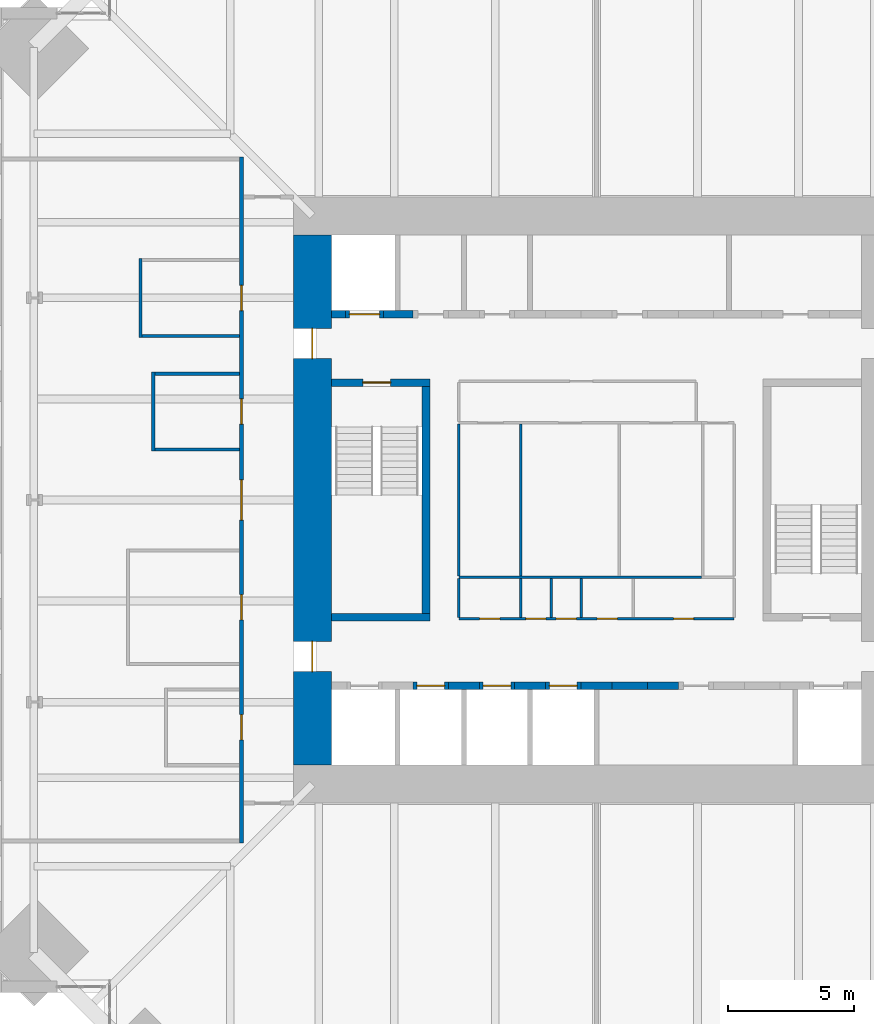
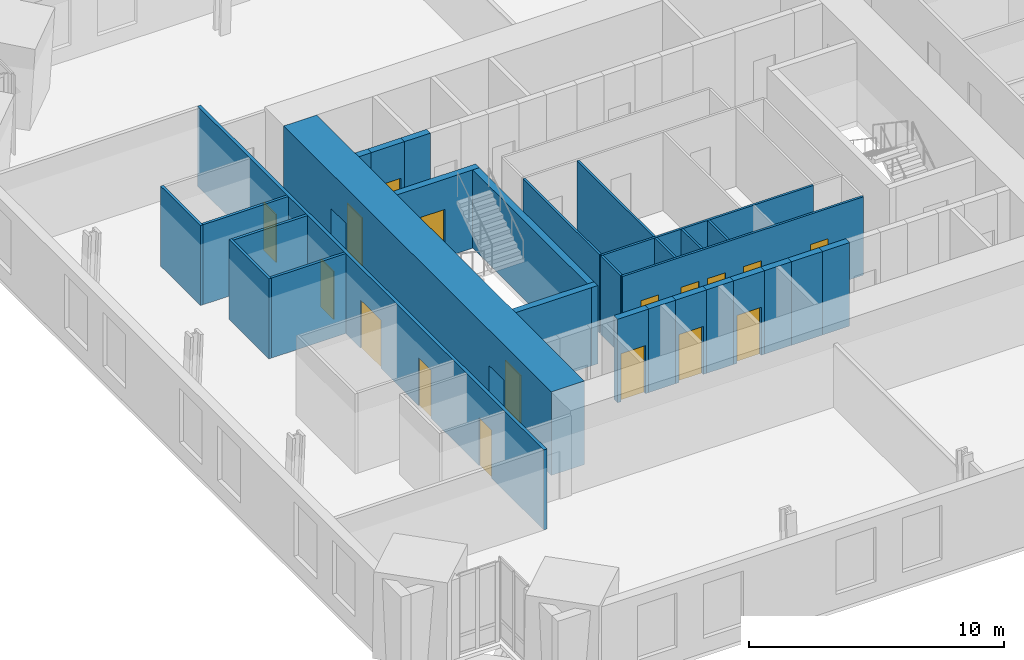
# One storey, part 11 of 15: 29 walls, 17 doors, 17 openings.
"""IFC4 building model written with IfcOpenShell, lengths in metres."""

from ifc_helpers import new_model, si_unit, direction, frame, frame_2d, origin, place, context, subcontext, project, spatial, rectangle, extrude, material, layer, layer_set, type_object, element, fill, save


model = new_model("IFC4")

# Units and contexts
model_context = context("Model", 3, precision=1e-05, world=origin(), true_north=direction((0.0, 1.0)))
body_context = subcontext(model_context, "Body", "Model", "MODEL_VIEW")
ifc_project = project(units=[si_unit("LENGTHUNIT", "METRE"), si_unit("AREAUNIT", "SQUARE_METRE"), si_unit("VOLUMEUNIT", "CUBIC_METRE"), si_unit("PLANEANGLEUNIT", "RADIAN"), si_unit("MASSUNIT", "GRAM", prefix="KILO")], contexts=[model_context])

# Site, building, storey
site_placement = place(None, origin())
site = spatial("IfcSite", under=ifc_project, at=site_placement, CompositionType="ELEMENT")
building_placement = place(site_placement, origin())
building = spatial("IfcBuilding", under=site, at=building_placement, Name="Peilmerk Tower", CompositionType="ELEMENT")
storey_placement = place(building_placement, frame((0.0, 0.0, 213.800048828125)))
storey = spatial("IfcBuildingStorey", under=building, at=storey_placement, Name="L46", CompositionType="ELEMENT", Elevation=213.800048828125)

# Wall, openings, doors
ifc_material_1 = material(Name="Calcium silicate block", Category="masonry")
ifc_layer_1 = layer(ifc_material_1, 0.14990234375)
ifc_layer_set_1 = layer_set([ifc_layer_1], Name="Calcium silicate block")
wall_type_1 = type_object("IfcWallType", Name="IW1 150 corridor partition, EI 60", PredefinedType="PARTITIONING", material=ifc_layer_set_1)
wall_1_placement = place(storey_placement, frame((-14.050048828125, 13.574951171875, 0.0), z_axis=(0.0, 0.0, 1.0), x_axis=(0.0, -1.0, 0.0)))
wall_1 = element("IfcWall", 1, at=wall_1_placement, inside=storey, type_object=wall_type_1, Name="Corridor wall W L46", PredefinedType="PARTITIONING", context=body_context, shape_type="SweptSolid", body=[
    extrude(rectangle(XDim=27.14990234375, YDim=0.14990234375, at=frame_2d((13.574951171875, 0.0))), origin(), (0.0, 0.0, 1.0), 3.829833984375),
])
opening_1_placement = place(wall_1_placement, frame((12.77490234375, 0.0, 0.0)))
opening_1 = element("IfcOpeningElement", 2, at=opening_1_placement, cuts=wall_1, Name="Opening D9", PredefinedType="OPENING", context=body_context, shape_type="SweptSolid", body=[
    extrude(rectangle(XDim=1.60009765625, YDim=2.300048828125, at=frame_2d((0.800048828125, 1.14990234375))), frame((0.0, 0.0849609375, 0.0), z_axis=(0.0, -1.0, 0.0), x_axis=(1.0, 0.0, 0.0)), (0.0, 0.0, 1.0), 0.169921875),
])
opening_2_placement = place(wall_1_placement, frame((17.324951171875, 0.0, 0.0)))
opening_2 = element("IfcOpeningElement", 3, at=opening_2_placement, cuts=wall_1, Name="Opening D1", PredefinedType="OPENING", context=body_context, shape_type="SweptSolid", body=[
    extrude(rectangle(XDim=1.0, YDim=2.300048828125, at=frame_2d((0.5, 1.14990234375))), frame((0.0, 0.0849609375, 0.0), z_axis=(0.0, -1.0, 0.0), x_axis=(1.0, 0.0, 0.0)), (0.0, 0.0, 1.0), 0.169921875),
])
opening_3_placement = place(wall_1_placement, frame((9.574951171875, 0.0, 0.0)))
opening_3 = element("IfcOpeningElement", 4, at=opening_3_placement, cuts=wall_1, Name="Opening D1", PredefinedType="OPENING", context=body_context, shape_type="SweptSolid", body=[
    extrude(rectangle(XDim=1.0, YDim=2.300048828125, at=frame_2d((0.5, 1.14990234375))), frame((0.0, 0.0849609375, 0.0), z_axis=(0.0, -1.0, 0.0), x_axis=(1.0, 0.0, 0.0)), (0.0, 0.0, 1.0), 0.169921875),
])
opening_4_placement = place(wall_1_placement, frame((5.074951171875, 0.0, 0.0)))
opening_4 = element("IfcOpeningElement", 5, at=opening_4_placement, cuts=wall_1, Name="Opening D1", PredefinedType="OPENING", context=body_context, shape_type="SweptSolid", body=[
    extrude(rectangle(XDim=1.0, YDim=2.300048828125, at=frame_2d((0.5, 1.14990234375))), frame((0.0, 0.0849609375, 0.0), z_axis=(0.0, -1.0, 0.0), x_axis=(1.0, 0.0, 0.0)), (0.0, 0.0, 1.0), 0.169921875),
])
opening_5_placement = place(wall_1_placement, frame((22.074951171875, 0.0, 0.0)))
opening_5 = element("IfcOpeningElement", 6, at=opening_5_placement, cuts=wall_1, Name="Opening D1", PredefinedType="OPENING", context=body_context, shape_type="SweptSolid", body=[
    extrude(rectangle(XDim=1.0, YDim=2.300048828125, at=frame_2d((0.5, 1.14990234375))), frame((0.0, 0.0849609375, 0.0), z_axis=(0.0, -1.0, 0.0), x_axis=(1.0, 0.0, 0.0)), (0.0, 0.0, 1.0), 0.169921875),
])
ifc_material_2 = material(Name="Timber door in steel frame", Category="steel")
door_type_1 = type_object("IfcDoorType", Name="D1 1000x2300 room door, EI2 30", OperationType="SINGLE_SWING_LEFT", PredefinedType="DOOR", material=ifc_material_2)
door_1_placement = place(opening_2_placement, frame((1.0, 0.0, 0.0), z_axis=(0.0, 0.0, 1.0), x_axis=(-1.0, 0.0, 0.0)))
door_1 = element("IfcDoor", 7, at=door_1_placement, inside=storey, type_object=door_type_1, Name="Door Meeting room L46", OperationType="SINGLE_SWING_LEFT", OverallHeight=2.300048828125, OverallWidth=1.0, PredefinedType="DOOR", context=body_context, shape_type="SweptSolid", body=[
    extrude(rectangle(XDim=1.0, YDim=2.300048828125, at=frame_2d((0.5, 1.14990234375))), frame((0.0, 0.02490234375, 0.0), z_axis=(0.0, -1.0, 0.0), x_axis=(1.0, 0.0, 0.0)), (0.0, 0.0, 1.0), 0.050048828125),
])
fill(opening_2, door_1)
door_2_placement = place(opening_3_placement, frame((1.0, 0.0, 0.0), z_axis=(0.0, 0.0, 1.0), x_axis=(-1.0, 0.0, 0.0)))
door_2 = element("IfcDoor", 8, at=door_2_placement, inside=storey, type_object=door_type_1, Name="Door Quiet room L46", OperationType="SINGLE_SWING_LEFT", OverallHeight=2.300048828125, OverallWidth=1.0, PredefinedType="DOOR", context=body_context, shape_type="SweptSolid", body=[
    extrude(rectangle(XDim=1.0, YDim=2.300048828125, at=frame_2d((0.5, 1.14990234375))), frame((0.0, 0.02490234375, 0.0), z_axis=(0.0, -1.0, 0.0), x_axis=(1.0, 0.0, 0.0)), (0.0, 0.0, 1.0), 0.050048828125),
])
fill(opening_3, door_2)
door_3_placement = place(opening_4_placement, frame((1.0, 0.0, 0.0), z_axis=(0.0, 0.0, 1.0), x_axis=(-1.0, 0.0, 0.0)))
door_3 = element("IfcDoor", 9, at=door_3_placement, inside=storey, type_object=door_type_1, Name="Door Pantry L46", OperationType="SINGLE_SWING_LEFT", OverallHeight=2.300048828125, OverallWidth=1.0, PredefinedType="DOOR", context=body_context, shape_type="SweptSolid", body=[
    extrude(rectangle(XDim=1.0, YDim=2.300048828125, at=frame_2d((0.5, 1.14990234375))), frame((0.0, 0.02490234375, 0.0), z_axis=(0.0, -1.0, 0.0), x_axis=(1.0, 0.0, 0.0)), (0.0, 0.0, 1.0), 0.050048828125),
])
fill(opening_4, door_3)
door_4_placement = place(opening_5_placement, frame((1.0, 0.0, 0.0), z_axis=(0.0, 0.0, 1.0), x_axis=(-1.0, 0.0, 0.0)))
door_4 = element("IfcDoor", 10, at=door_4_placement, inside=storey, type_object=door_type_1, Name="Door Quiet room L46", OperationType="SINGLE_SWING_LEFT", OverallHeight=2.300048828125, OverallWidth=1.0, PredefinedType="DOOR", context=body_context, shape_type="SweptSolid", body=[
    extrude(rectangle(XDim=1.0, YDim=2.300048828125, at=frame_2d((0.5, 1.14990234375))), frame((0.0, 0.02490234375, 0.0), z_axis=(0.0, -1.0, 0.0), x_axis=(1.0, 0.0, 0.0)), (0.0, 0.0, 1.0), 0.050048828125),
])
fill(opening_5, door_4)
ifc_material_3 = material(Name="Glazed timber door in steel frame", Category="steel")
door_type_2 = type_object("IfcDoorType", Name="D9 1600x2300 glazed double door, EI2 30", OperationType="DOUBLE_DOOR_SINGLE_SWING", PredefinedType="DOOR", material=ifc_material_3)
door_5_placement = place(opening_1_placement, frame((1.60009765625, 0.0, 0.0), z_axis=(0.0, 0.0, 1.0), x_axis=(-1.0, 0.0, 0.0)))
door_5 = element("IfcDoor", 11, at=door_5_placement, inside=storey, type_object=door_type_2, Name="Door Open workspace L46", OperationType="DOUBLE_DOOR_SINGLE_SWING", OverallHeight=2.300048828125, OverallWidth=1.60009765625, PredefinedType="DOOR", context=body_context, shape_type="SweptSolid", body=[
    extrude(rectangle(XDim=1.60009765625, YDim=2.300048828125, at=frame_2d((0.800048828125, 1.14990234375))), frame((0.0, 0.02490234375, 0.0), z_axis=(0.0, -1.0, 0.0), x_axis=(1.0, 0.0, 0.0)), (0.0, 0.0, 1.0), 0.050048828125),
])
fill(opening_1, door_5)

# Wall
ifc_material_4 = material(Name="Concrete C35/45", Category="concrete")
ifc_layer_2 = layer(ifc_material_4, 0.300048828125)
ifc_layer_set_2 = layer_set([ifc_layer_2], Name="Concrete C35/45")
wall_type_2 = type_object("IfcWallType", Name="IW3 300 concrete stair enclosure wall, EI 120", PredefinedType="SOLIDWALL", material=ifc_layer_set_2)
wall_2_placement = place(storey_placement, frame((-6.75, -4.800048828125, 0.0), z_axis=(0.0, 0.0, 1.0), x_axis=(0.0, 1.0, 0.0)))
element("IfcWall", 12, at=wall_2_placement, inside=storey, type_object=wall_type_2, Name="Stair 1 enclosure L46", PredefinedType="SOLIDWALL", context=body_context, shape_type="SweptSolid", body=[
    extrude(rectangle(XDim=9.60009765625, YDim=0.300048828125, at=frame_2d((4.800048828125, 0.0))), origin(), (0.0, 0.0, 1.0), 3.75),
])

# Wall, opening, door
wall_3_placement = place(storey_placement, frame((-10.5, 4.64990234375, 0.0), z_axis=(0.0, 0.0, 1.0), x_axis=(1.0, 0.0, 0.0)))
wall_3 = element("IfcWall", 13, at=wall_3_placement, inside=storey, type_object=wall_type_2, Name="Stair 1 enclosure L46", PredefinedType="SOLIDWALL", context=body_context, shape_type="SweptSolid", body=[
    extrude(rectangle(XDim=3.89990234375, YDim=0.300048828125, at=frame_2d((1.949951171875, 0.0))), origin(), (0.0, 0.0, 1.0), 3.75),
])
opening_6_placement = place(wall_3_placement, frame((1.25, 0.0, 0.0)))
opening_6 = element("IfcOpeningElement", 14, at=opening_6_placement, cuts=wall_3, Name="Opening D4", PredefinedType="OPENING", context=body_context, shape_type="SweptSolid", body=[
    extrude(rectangle(XDim=1.10009765625, YDim=2.300048828125, at=frame_2d((0.550048828125, 1.14990234375))), frame((0.0, 0.159912109375, 0.0), z_axis=(0.0, -1.0, 0.0), x_axis=(1.0, 0.0, 0.0)), (0.0, 0.0, 1.0), 0.320068359375),
])
ifc_material_5 = material(Name="Steel door in steel frame", Category="steel")
door_type_3 = type_object("IfcDoorType", Name="D4 1100x2300 stair door, EI2 60", OperationType="SINGLE_SWING_RIGHT", PredefinedType="DOOR", material=ifc_material_5)
door_6_placement = place(opening_6_placement, frame((1.10009765625, 0.0, 0.0), z_axis=(0.0, 0.0, 1.0), x_axis=(-1.0, 0.0, 0.0)))
door_6 = element("IfcDoor", 15, at=door_6_placement, inside=storey, type_object=door_type_3, Name="Stair 1 door L46", OperationType="SINGLE_SWING_RIGHT", OverallHeight=2.300048828125, OverallWidth=1.10009765625, PredefinedType="DOOR", context=body_context, shape_type="SweptSolid", body=[
    extrude(rectangle(XDim=1.10009765625, YDim=2.300048828125, at=frame_2d((0.550048828125, 1.14990234375))), frame((0.0, 0.02490234375, 0.0), z_axis=(0.0, -1.0, 0.0), x_axis=(1.0, 0.0, 0.0)), (0.0, 0.0, 1.0), 0.050048828125),
])
fill(opening_6, door_6)

# Walls
wall_4_placement = place(storey_placement, frame((-6.60009765625, -4.64990234375, 0.0), z_axis=(0.0, 0.0, 1.0), x_axis=(-1.0, 0.0, 0.0)))
element("IfcWall", 16, at=wall_4_placement, inside=storey, type_object=wall_type_2, Name="Stair 1 enclosure L46", PredefinedType="SOLIDWALL", context=body_context, shape_type="SweptSolid", body=[
    extrude(rectangle(XDim=3.89990234375, YDim=0.300048828125, at=frame_2d((1.949951171875, 0.0))), origin(), (0.0, 0.0, 1.0), 3.75),
])
ifc_material_6 = material(Name="Plasterboard on steel studs", Category="steel")
ifc_layer_3 = layer(ifc_material_6, 0.10009765625)
ifc_layer_set_3 = layer_set([ifc_layer_3], Name="Plasterboard on steel studs")
wall_type_3 = type_object("IfcWallType", Name="IW4 100 WC partition", PredefinedType="PARTITIONING", material=ifc_layer_set_3)
wall_5_placement = place(storey_placement, frame((4.14990234375, -3.050048828125, 0.0), z_axis=(0.0, 0.0, 1.0), x_axis=(-1.0, 0.0, 0.0)))
element("IfcWall", 17, at=wall_5_placement, inside=storey, type_object=wall_type_3, Name="WC wall L46", PredefinedType="PARTITIONING", context=body_context, shape_type="SweptSolid", body=[
    extrude(rectangle(XDim=9.599853515625, YDim=0.10009765625, at=frame_2d((4.7998046875, 0.0))), origin(), (0.0, 0.0, 1.0), 3.75),
])
for number, where, z_axis, x_axis, name in (
    (18, (-5.449951171875, -3.0, 0.0), (0.0, 0.0, 1.0), (0.0, 1.0, 0.0), "WC wall L46"),
    (19, (-3.0, -3.0, 0.0), (0.0, 0.0, 1.0), (0.0, 1.0, 0.0), "WC wall L46"),
):
    element("IfcWall", number, at=place(storey_placement, frame(where, z_axis=z_axis, x_axis=x_axis)), inside=storey, type_object=wall_type_3, Name=name, PredefinedType="PARTITIONING", context=body_context, shape_type="SweptSolid", body=[
        extrude(rectangle(XDim=6.0, YDim=0.10009765625, at=frame_2d((3.0, 0.0))), origin(), (0.0, 0.0, 1.0), 3.75),
    ])

# Wall, openings, doors
ifc_material_7 = material(Name="Calcium silicate board on steel studs", Category="steel")
ifc_layer_4 = layer(ifc_material_7, 0.10009765625)
ifc_layer_set_4 = layer_set([ifc_layer_4], Name="Calcium silicate board on steel studs")
wall_type_4 = type_object("IfcWallType", Name="IW5 100 riser enclosure wall, EI 60", PredefinedType="PARTITIONING", material=ifc_layer_set_4)
wall_6_placement = place(storey_placement, frame((5.449951171875, -4.699951171875, 0.0), z_axis=(0.0, 0.0, 1.0), x_axis=(-1.0, 0.0, 0.0)))
wall_6 = element("IfcWall", 20, at=wall_6_placement, inside=storey, type_object=wall_type_4, Name="Riser wall L46", PredefinedType="PARTITIONING", context=body_context, shape_type="SweptSolid", body=[
    extrude(rectangle(XDim=10.89990234375, YDim=0.10009765625, at=frame_2d((5.449951171875, 0.0))), origin(), (0.0, 0.0, 1.0), 3.75),
])
opening_7_placement = place(wall_6_placement, frame((9.27490234375, 0.0, 0.0)))
opening_7 = element("IfcOpeningElement", 21, at=opening_7_placement, cuts=wall_6, Name="Opening D7", PredefinedType="OPENING", context=body_context, shape_type="SweptSolid", body=[
    extrude(rectangle(XDim=0.800048828125, YDim=2.300048828125, at=frame_2d((0.39990234375, 1.14990234375))), frame((0.0, 0.06005859375, 0.0), z_axis=(0.0, -1.0, 0.0), x_axis=(1.0, 0.0, 0.0)), (0.0, 0.0, 1.0), 0.1201171875),
])
opening_8_placement = place(wall_6_placement, frame((7.449951171875, 0.0, 0.0)))
opening_8 = element("IfcOpeningElement", 22, at=opening_8_placement, cuts=wall_6, Name="Opening D7", PredefinedType="OPENING", context=body_context, shape_type="SweptSolid", body=[
    extrude(rectangle(XDim=0.800048828125, YDim=2.300048828125, at=frame_2d((0.39990234375, 1.14990234375))), frame((0.0, 0.06005859375, 0.0), z_axis=(0.0, -1.0, 0.0), x_axis=(1.0, 0.0, 0.0)), (0.0, 0.0, 1.0), 0.1201171875),
])
opening_9_placement = place(wall_6_placement, frame((6.25, 0.0, 0.0)))
opening_9 = element("IfcOpeningElement", 23, at=opening_9_placement, cuts=wall_6, Name="Opening D7", PredefinedType="OPENING", context=body_context, shape_type="SweptSolid", body=[
    extrude(rectangle(XDim=0.800048828125, YDim=2.300048828125, at=frame_2d((0.39990234375, 1.14990234375))), frame((0.0, 0.06005859375, 0.0), z_axis=(0.0, -1.0, 0.0), x_axis=(1.0, 0.0, 0.0)), (0.0, 0.0, 1.0), 0.1201171875),
])
opening_10_placement = place(wall_6_placement, frame((4.625, 0.0, 0.0)))
opening_10 = element("IfcOpeningElement", 24, at=opening_10_placement, cuts=wall_6, Name="Opening D7", PredefinedType="OPENING", context=body_context, shape_type="SweptSolid", body=[
    extrude(rectangle(XDim=0.800048828125, YDim=2.300048828125, at=frame_2d((0.39990234375, 1.14990234375))), frame((0.0, 0.06005859375, 0.0), z_axis=(0.0, -1.0, 0.0), x_axis=(1.0, 0.0, 0.0)), (0.0, 0.0, 1.0), 0.1201171875),
])
opening_11_placement = place(wall_6_placement, frame((1.60009765625, 0.0, 0.0)))
opening_11 = element("IfcOpeningElement", 25, at=opening_11_placement, cuts=wall_6, Name="Opening D7", PredefinedType="OPENING", context=body_context, shape_type="SweptSolid", body=[
    extrude(rectangle(XDim=0.800048828125, YDim=2.300048828125, at=frame_2d((0.39990234375, 1.14990234375))), frame((0.0, 0.06005859375, 0.0), z_axis=(0.0, -1.0, 0.0), x_axis=(1.0, 0.0, 0.0)), (0.0, 0.0, 1.0), 0.1201171875),
])
door_type_4 = type_object("IfcDoorType", Name="D7 800x2300 riser access door, EI2 60", OperationType="SINGLE_SWING_RIGHT", PredefinedType="DOOR", material=ifc_material_5)
door_7_placement = place(opening_7_placement, frame((0.800048828125, 0.0, 0.0), z_axis=(0.0, 0.0, 1.0), x_axis=(-1.0, 0.0, 0.0)))
door_7 = element("IfcDoor", 26, at=door_7_placement, inside=storey, type_object=door_type_4, Name="Cleaner's cupboard door L46", OperationType="SINGLE_SWING_RIGHT", OverallHeight=2.300048828125, OverallWidth=0.800048828125, PredefinedType="DOOR", context=body_context, shape_type="SweptSolid", body=[
    extrude(rectangle(XDim=0.800048828125, YDim=2.300048828125, at=frame_2d((0.39990234375, 1.14990234375))), frame((0.0, 0.02490234375, 0.0), z_axis=(0.0, -1.0, 0.0), x_axis=(1.0, 0.0, 0.0)), (0.0, 0.0, 1.0), 0.050048828125),
])
fill(opening_7, door_7)
door_8_placement = place(opening_8_placement, frame((0.800048828125, 0.0, 0.0), z_axis=(0.0, 0.0, 1.0), x_axis=(-1.0, 0.0, 0.0)))
door_8 = element("IfcDoor", 27, at=door_8_placement, inside=storey, type_object=door_type_4, Name="Electrical riser door L46", OperationType="SINGLE_SWING_RIGHT", OverallHeight=2.300048828125, OverallWidth=0.800048828125, PredefinedType="DOOR", context=body_context, shape_type="SweptSolid", body=[
    extrude(rectangle(XDim=0.800048828125, YDim=2.300048828125, at=frame_2d((0.39990234375, 1.14990234375))), frame((0.0, 0.02490234375, 0.0), z_axis=(0.0, -1.0, 0.0), x_axis=(1.0, 0.0, 0.0)), (0.0, 0.0, 1.0), 0.050048828125),
])
fill(opening_8, door_8)
door_9_placement = place(opening_9_placement, frame((0.800048828125, 0.0, 0.0), z_axis=(0.0, 0.0, 1.0), x_axis=(-1.0, 0.0, 0.0)))
door_9 = element("IfcDoor", 28, at=door_9_placement, inside=storey, type_object=door_type_4, Name="Data riser door L46", OperationType="SINGLE_SWING_RIGHT", OverallHeight=2.300048828125, OverallWidth=0.800048828125, PredefinedType="DOOR", context=body_context, shape_type="SweptSolid", body=[
    extrude(rectangle(XDim=0.800048828125, YDim=2.300048828125, at=frame_2d((0.39990234375, 1.14990234375))), frame((0.0, 0.02490234375, 0.0), z_axis=(0.0, -1.0, 0.0), x_axis=(1.0, 0.0, 0.0)), (0.0, 0.0, 1.0), 0.050048828125),
])
fill(opening_9, door_9)
door_10_placement = place(opening_10_placement, frame((0.800048828125, 0.0, 0.0), z_axis=(0.0, 0.0, 1.0), x_axis=(-1.0, 0.0, 0.0)))
door_10 = element("IfcDoor", 29, at=door_10_placement, inside=storey, type_object=door_type_4, Name="Electrical room door L46", OperationType="SINGLE_SWING_RIGHT", OverallHeight=2.300048828125, OverallWidth=0.800048828125, PredefinedType="DOOR", context=body_context, shape_type="SweptSolid", body=[
    extrude(rectangle(XDim=0.800048828125, YDim=2.300048828125, at=frame_2d((0.39990234375, 1.14990234375))), frame((0.0, 0.02490234375, 0.0), z_axis=(0.0, -1.0, 0.0), x_axis=(1.0, 0.0, 0.0)), (0.0, 0.0, 1.0), 0.050048828125),
])
fill(opening_10, door_10)
door_11_placement = place(opening_11_placement, frame((0.800048828125, 0.0, 0.0), z_axis=(0.0, 0.0, 1.0), x_axis=(-1.0, 0.0, 0.0)))
door_11 = element("IfcDoor", 30, at=door_11_placement, inside=storey, type_object=door_type_4, Name="Comms room door L46", OperationType="SINGLE_SWING_RIGHT", OverallHeight=2.300048828125, OverallWidth=0.800048828125, PredefinedType="DOOR", context=body_context, shape_type="SweptSolid", body=[
    extrude(rectangle(XDim=0.800048828125, YDim=2.300048828125, at=frame_2d((0.39990234375, 1.14990234375))), frame((0.0, 0.02490234375, 0.0), z_axis=(0.0, -1.0, 0.0), x_axis=(1.0, 0.0, 0.0)), (0.0, 0.0, 1.0), 0.050048828125),
])
fill(opening_11, door_11)

# Walls
for number, where, z_axis, x_axis, name in (
    (31, (-5.449951171875, -3.10009765625, 0.0), (0.0, 0.0, 1.0), (0.0, -1.0, 0.0), "Riser wall L46"),
    (32, (-3.0, -3.10009765625, 0.0), (0.0, 0.0, 1.0), (0.0, -1.0, 0.0), "Riser wall L46"),
    (33, (-1.800048828125, -3.10009765625, 0.0), (0.0, 0.0, 1.0), (0.0, -1.0, 0.0), "Riser wall L46"),
    (34, (-0.60009765625, -3.10009765625, 0.0), (0.0, 0.0, 1.0), (0.0, -1.0, 0.0), "Riser wall L46"),
):
    element("IfcWall", number, at=place(storey_placement, frame(where, z_axis=z_axis, x_axis=x_axis)), inside=storey, type_object=wall_type_4, Name=name, PredefinedType="PARTITIONING", context=body_context, shape_type="SweptSolid", body=[
        extrude(rectangle(XDim=1.5498046875, YDim=0.10009765625, at=frame_2d((0.77490234375, 0.0))), origin(), (0.0, 0.0, 1.0), 3.75),
    ])
ifc_material_8 = material(Name="Plasterboard on steel studs, double boarded with mineral wool", Category="steel")
ifc_layer_5 = layer(ifc_material_8, 0.125)
ifc_layer_set_5 = layer_set([ifc_layer_5], Name="Plasterboard on steel studs, double boarded with mineral wool")
wall_type_5 = type_object("IfcWallType", Name="IW7 125 acoustic partition, EI 30", PredefinedType="PARTITIONING", material=ifc_layer_set_5)
wall_7_placement = place(storey_placement, frame((-17.550048828125, 1.9375, 0.0), z_axis=(0.0, 0.0, 1.0), x_axis=(0.0, 1.0, 0.0)))
element("IfcWall", 35, at=wall_7_placement, inside=storey, type_object=wall_type_5, Name="Acoustic partition Quiet room L46", PredefinedType="PARTITIONING", context=body_context, shape_type="SweptSolid", body=[
    extrude(rectangle(XDim=3.125, YDim=0.125, at=frame_2d((1.5625, 0.0))), origin(), (0.0, 0.0, 1.0), 3.829833984375),
])
for number, where, z_axis, x_axis, name in (
    (36, (-14.125, 2.0, 0.0), (0.0, 0.0, 1.0), (-1.0, 0.0, 0.0), "Acoustic partition Quiet room L46"),
    (37, (-14.125, 5.0, 0.0), (0.0, 0.0, 1.0), (-1.0, 0.0, 0.0), "Acoustic partition Quiet room L46"),
):
    element("IfcWall", number, at=place(storey_placement, frame(where, z_axis=z_axis, x_axis=x_axis)), inside=storey, type_object=wall_type_5, Name=name, PredefinedType="PARTITIONING", context=body_context, shape_type="SweptSolid", body=[
        extrude(rectangle(XDim=3.362548828125, YDim=0.125, at=frame_2d((1.68115234375, 0.0))), origin(), (0.0, 0.0, 1.0), 3.829833984375),
    ])
wall_8_placement = place(storey_placement, frame((-18.050048828125, 6.4375, 0.0), z_axis=(0.0, 0.0, 1.0), x_axis=(0.0, 1.0, 0.0)))
element("IfcWall", 38, at=wall_8_placement, inside=storey, type_object=wall_type_5, Name="Acoustic partition Pantry L46", PredefinedType="PARTITIONING", context=body_context, shape_type="SweptSolid", body=[
    extrude(rectangle(XDim=3.125, YDim=0.125, at=frame_2d((1.5625, 0.0))), origin(), (0.0, 0.0, 1.0), 3.829833984375),
])
wall_9_placement = place(storey_placement, frame((-14.125, 6.5, 0.0), z_axis=(0.0, 0.0, 1.0), x_axis=(-1.0, 0.0, 0.0)))
element("IfcWall", 39, at=wall_9_placement, inside=storey, type_object=wall_type_5, Name="Acoustic partition Pantry L46", PredefinedType="PARTITIONING", context=body_context, shape_type="SweptSolid", body=[
    extrude(rectangle(XDim=3.862548828125, YDim=0.125, at=frame_2d((1.93115234375, 0.0))), origin(), (0.0, 0.0, 1.0), 3.829833984375),
])

# Wall, opening, door
ifc_layer_6 = layer(ifc_material_1, 0.300048828125)
ifc_layer_set_6 = layer_set([ifc_layer_6], Name="Calcium silicate block")
wall_type_6 = type_object("IfcWallType", Name="SH2 300 lift landing door panel, EI 120", PredefinedType="PARTITIONING", material=ifc_layer_set_6)
wall_10_placement = place(storey_placement, frame((-9.9375, 7.35009765625, 0.0), z_axis=(0.0, 0.0, 1.0), x_axis=(1.0, 0.0, 0.0)))
wall_10 = element("IfcWall", 40, at=wall_10_placement, inside=storey, type_object=wall_type_6, Name="Lift door panel N FL1 L46", PredefinedType="PARTITIONING", context=body_context, shape_type="SweptSolid", body=[
    extrude(rectangle(XDim=1.5, YDim=0.300048828125, at=frame_2d((0.75, 0.0))), origin(), (0.0, 0.0, 1.0), 4.0),
])
opening_12_placement = place(wall_10_placement, frame((0.14990234375, 0.0, 0.0)))
opening_12 = element("IfcOpeningElement", 41, at=opening_12_placement, cuts=wall_10, Name="Opening LD2", PredefinedType="OPENING", context=body_context, shape_type="SweptSolid", body=[
    extrude(rectangle(XDim=1.199951171875, YDim=2.300048828125, at=frame_2d((0.60009765625, 1.14990234375))), frame((0.0, 0.159912109375, 0.0), z_axis=(0.0, -1.0, 0.0), x_axis=(1.0, 0.0, 0.0)), (0.0, 0.0, 1.0), 0.320068359375),
])
ifc_material_9 = material(Name="Stainless steel landing door", Category="steel")
door_type_5 = type_object("IfcDoorType", Name="LD2 1200x2300 lift landing door, sliding, EI2 60", OperationType="SLIDING_TO_LEFT", PredefinedType="DOOR", material=ifc_material_9)
door_12_placement = place(opening_12_placement, frame((1.199951171875, 0.0, 0.0), z_axis=(0.0, 0.0, 1.0), x_axis=(-1.0, 0.0, 0.0)))
door_12 = element("IfcDoor", 42, at=door_12_placement, inside=storey, type_object=door_type_5, Name="Lift landing door FL1 L46", OperationType="SLIDING_TO_LEFT", OverallHeight=2.300048828125, OverallWidth=1.199951171875, PredefinedType="DOOR", context=body_context, shape_type="SweptSolid", body=[
    extrude(rectangle(XDim=1.199951171875, YDim=2.300048828125, at=frame_2d((0.60009765625, 1.14990234375))), frame((0.0, 0.02490234375, 0.0), z_axis=(0.0, -1.0, 0.0), x_axis=(1.0, 0.0, 0.0)), (0.0, 0.0, 1.0), 0.050048828125),
])
fill(opening_12, door_12)

wall_11_placement = place(storey_placement, frame((-7.262451171875, -7.35009765625, 0.0), z_axis=(0.0, 0.0, 1.0), x_axis=(1.0, 0.0, 0.0)))
wall_11 = element("IfcWall", 43, at=wall_11_placement, inside=storey, type_object=wall_type_6, Name="Lift door panel S C3 L46", PredefinedType="PARTITIONING", context=body_context, shape_type="SweptSolid", body=[
    extrude(rectangle(XDim=1.39990234375, YDim=0.300048828125, at=frame_2d((0.699951171875, 0.0))), origin(), (0.0, 0.0, 1.0), 4.0),
])
opening_13_placement = place(wall_11_placement, frame((0.14990234375, 0.0, 0.0)))
opening_13 = element("IfcOpeningElement", 44, at=opening_13_placement, cuts=wall_11, Name="Opening LD1", PredefinedType="OPENING", context=body_context, shape_type="SweptSolid", body=[
    extrude(rectangle(XDim=1.10009765625, YDim=2.300048828125, at=frame_2d((0.550048828125, 1.14990234375))), frame((0.0, 0.159912109375, 0.0), z_axis=(0.0, -1.0, 0.0), x_axis=(1.0, 0.0, 0.0)), (0.0, 0.0, 1.0), 0.320068359375),
])
door_type_6 = type_object("IfcDoorType", Name="LD1 1100x2300 lift landing door, sliding, EI2 60", OperationType="SLIDING_TO_LEFT", PredefinedType="DOOR", material=ifc_material_9)
door_13_placement = place(opening_13_placement, origin())
door_13 = element("IfcDoor", 45, at=door_13_placement, inside=storey, type_object=door_type_6, Name="Lift landing door C3 L46", OperationType="SLIDING_TO_LEFT", OverallHeight=2.300048828125, OverallWidth=1.10009765625, PredefinedType="DOOR", context=body_context, shape_type="SweptSolid", body=[
    extrude(rectangle(XDim=1.10009765625, YDim=2.300048828125, at=frame_2d((0.550048828125, 1.14990234375))), frame((0.0, 0.02490234375, 0.0), z_axis=(0.0, -1.0, 0.0), x_axis=(1.0, 0.0, 0.0)), (0.0, 0.0, 1.0), 0.050048828125),
])
fill(opening_13, door_13)

wall_12_placement = place(storey_placement, frame((-4.637451171875, -7.35009765625, 0.0), z_axis=(0.0, 0.0, 1.0), x_axis=(1.0, 0.0, 0.0)))
wall_12 = element("IfcWall", 46, at=wall_12_placement, inside=storey, type_object=wall_type_6, Name="Lift door panel S C2 L46", PredefinedType="PARTITIONING", context=body_context, shape_type="SweptSolid", body=[
    extrude(rectangle(XDim=1.39990234375, YDim=0.300048828125, at=frame_2d((0.699951171875, 0.0))), origin(), (0.0, 0.0, 1.0), 4.0),
])
opening_14_placement = place(wall_12_placement, frame((0.14990234375, 0.0, 0.0)))
opening_14 = element("IfcOpeningElement", 47, at=opening_14_placement, cuts=wall_12, Name="Opening LD1", PredefinedType="OPENING", context=body_context, shape_type="SweptSolid", body=[
    extrude(rectangle(XDim=1.10009765625, YDim=2.300048828125, at=frame_2d((0.550048828125, 1.14990234375))), frame((0.0, 0.159912109375, 0.0), z_axis=(0.0, -1.0, 0.0), x_axis=(1.0, 0.0, 0.0)), (0.0, 0.0, 1.0), 0.320068359375),
])
door_14_placement = place(opening_14_placement, origin())
door_14 = element("IfcDoor", 48, at=door_14_placement, inside=storey, type_object=door_type_6, Name="Lift landing door C2 L46", OperationType="SLIDING_TO_LEFT", OverallHeight=2.300048828125, OverallWidth=1.10009765625, PredefinedType="DOOR", context=body_context, shape_type="SweptSolid", body=[
    extrude(rectangle(XDim=1.10009765625, YDim=2.300048828125, at=frame_2d((0.550048828125, 1.14990234375))), frame((0.0, 0.02490234375, 0.0), z_axis=(0.0, -1.0, 0.0), x_axis=(1.0, 0.0, 0.0)), (0.0, 0.0, 1.0), 0.050048828125),
])
fill(opening_14, door_14)

wall_13_placement = place(storey_placement, frame((-2.012451171875, -7.35009765625, 0.0), z_axis=(0.0, 0.0, 1.0), x_axis=(1.0, 0.0, 0.0)))
wall_13 = element("IfcWall", 49, at=wall_13_placement, inside=storey, type_object=wall_type_6, Name="Lift door panel S C1 L46", PredefinedType="PARTITIONING", context=body_context, shape_type="SweptSolid", body=[
    extrude(rectangle(XDim=1.39990234375, YDim=0.300048828125, at=frame_2d((0.699951171875, 0.0))), origin(), (0.0, 0.0, 1.0), 4.0),
])
opening_15_placement = place(wall_13_placement, frame((0.14990234375, 0.0, 0.0)))
opening_15 = element("IfcOpeningElement", 50, at=opening_15_placement, cuts=wall_13, Name="Opening LD1", PredefinedType="OPENING", context=body_context, shape_type="SweptSolid", body=[
    extrude(rectangle(XDim=1.10009765625, YDim=2.300048828125, at=frame_2d((0.550048828125, 1.14990234375))), frame((0.0, 0.159912109375, 0.0), z_axis=(0.0, -1.0, 0.0), x_axis=(1.0, 0.0, 0.0)), (0.0, 0.0, 1.0), 0.320068359375),
])
door_15_placement = place(opening_15_placement, origin())
door_15 = element("IfcDoor", 51, at=door_15_placement, inside=storey, type_object=door_type_6, Name="Lift landing door C1 L46", OperationType="SLIDING_TO_LEFT", OverallHeight=2.300048828125, OverallWidth=1.10009765625, PredefinedType="DOOR", context=body_context, shape_type="SweptSolid", body=[
    extrude(rectangle(XDim=1.10009765625, YDim=2.300048828125, at=frame_2d((0.550048828125, 1.14990234375))), frame((0.0, 0.02490234375, 0.0), z_axis=(0.0, -1.0, 0.0), x_axis=(1.0, 0.0, 0.0)), (0.0, 0.0, 1.0), 0.050048828125),
])
fill(opening_15, door_15)

# Wall
wall_14_placement = place(storey_placement, frame((0.612548828125, -7.35009765625, 0.0), z_axis=(0.0, 0.0, 1.0), x_axis=(1.0, 0.0, 0.0)))
element("IfcWall", 52, at=wall_14_placement, inside=storey, type_object=wall_type_6, Name="Lift door panel S B3 L46", PredefinedType="PARTITIONING", context=body_context, shape_type="SweptSolid", body=[
    extrude(rectangle(XDim=1.39990234375, YDim=0.300048828125, at=frame_2d((0.699951171875, 0.0))), origin(), (0.0, 0.0, 1.0), 4.0),
])

# Wall, openings, doors
ifc_material_10 = material(Name="Concrete C55/67", Category="concrete")
ifc_layer_7 = layer(ifc_material_10, 1.5)
ifc_layer_set_7 = layer_set([ifc_layer_7], Name="Concrete C55/67")
wall_type_7 = type_object("IfcWallType", Name="SW1 1500 core wall", PredefinedType="SHEAR", material=ifc_layer_set_7)
wall_15_placement = place(storey_placement, frame((-11.25, -10.5, 0.0), z_axis=(0.0, 0.0, 1.0), x_axis=(0.0, 1.0, 0.0)))
wall_15 = element("IfcWall", 53, at=wall_15_placement, inside=storey, type_object=wall_type_7, Name="Core wall W L46", PredefinedType="SHEAR", context=body_context, shape_type="SweptSolid", body=[
    extrude(rectangle(XDim=21.0, YDim=1.5, at=frame_2d((10.5, 0.0))), origin(), (0.0, 0.0, 1.0), 4.0),
])
opening_16_placement = place(wall_15_placement, frame((16.10009765625, 0.0, 0.0)))
opening_16 = element("IfcOpeningElement", 54, at=opening_16_placement, cuts=wall_15, Name="Opening D3", PredefinedType="OPENING", context=body_context, shape_type="SweptSolid", body=[
    extrude(rectangle(XDim=1.199951171875, YDim=2.300048828125, at=frame_2d((0.60009765625, 1.14990234375))), frame((0.0, 0.760009765625, 0.0), z_axis=(0.0, -1.0, 0.0), x_axis=(1.0, 0.0, 0.0)), (0.0, 0.0, 1.0), 1.52001953125),
])
opening_17_placement = place(wall_15_placement, frame((3.699951171875, 0.0, 0.0)))
opening_17 = element("IfcOpeningElement", 55, at=opening_17_placement, cuts=wall_15, Name="Opening D3", PredefinedType="OPENING", context=body_context, shape_type="SweptSolid", body=[
    extrude(rectangle(XDim=1.199951171875, YDim=2.300048828125, at=frame_2d((0.60009765625, 1.14990234375))), frame((0.0, 0.760009765625, 0.0), z_axis=(0.0, -1.0, 0.0), x_axis=(1.0, 0.0, 0.0)), (0.0, 0.0, 1.0), 1.52001953125),
])
door_type_7 = type_object("IfcDoorType", Name="D3 1200x2300 core door, EI2 60", OperationType="SINGLE_SWING_LEFT", PredefinedType="DOOR", material=ifc_material_5)
door_16_placement = place(opening_16_placement, frame((1.199951171875, 0.0, 0.0), z_axis=(0.0, 0.0, 1.0), x_axis=(-1.0, 0.0, 0.0)))
door_16 = element("IfcDoor", 56, at=door_16_placement, inside=storey, type_object=door_type_7, Name="Core door L46", OperationType="SINGLE_SWING_LEFT", OverallHeight=2.300048828125, OverallWidth=1.199951171875, PredefinedType="DOOR", context=body_context, shape_type="SweptSolid", body=[
    extrude(rectangle(XDim=1.199951171875, YDim=2.300048828125, at=frame_2d((0.60009765625, 1.14990234375))), frame((0.0, 0.02490234375, 0.0), z_axis=(0.0, -1.0, 0.0), x_axis=(1.0, 0.0, 0.0)), (0.0, 0.0, 1.0), 0.050048828125),
])
fill(opening_16, door_16)
door_17_placement = place(opening_17_placement, frame((1.199951171875, 0.0, 0.0), z_axis=(0.0, 0.0, 1.0), x_axis=(-1.0, 0.0, 0.0)))
door_17 = element("IfcDoor", 57, at=door_17_placement, inside=storey, type_object=door_type_7, Name="Core door L46", OperationType="SINGLE_SWING_LEFT", OverallHeight=2.300048828125, OverallWidth=1.199951171875, PredefinedType="DOOR", context=body_context, shape_type="SweptSolid", body=[
    extrude(rectangle(XDim=1.199951171875, YDim=2.300048828125, at=frame_2d((0.60009765625, 1.14990234375))), frame((0.0, 0.02490234375, 0.0), z_axis=(0.0, -1.0, 0.0), x_axis=(1.0, 0.0, 0.0)), (0.0, 0.0, 1.0), 0.050048828125),
])
fill(opening_17, door_17)

# Walls
ifc_layer_8 = layer(ifc_material_10, 0.300048828125)
ifc_layer_set_8 = layer_set([ifc_layer_8], Name="Concrete C55/67")
wall_type_8 = type_object("IfcWallType", Name="SW2 300 lift bank pier", PredefinedType="SHEAR", material=ifc_layer_set_8)
wall_16_placement = place(storey_placement, frame((-10.5, 7.35009765625, 0.0), z_axis=(0.0, 0.0, 1.0), x_axis=(1.0, 0.0, 0.0)))
element("IfcWall", 58, at=wall_16_placement, inside=storey, type_object=wall_type_8, Name="Lift bank pier N L46", PredefinedType="SHEAR", context=body_context, shape_type="SweptSolid", body=[
    extrude(rectangle(XDim=0.5625, YDim=0.300048828125, at=frame_2d((0.28125, 0.0))), origin(), (0.0, 0.0, 1.0), 4.0),
])
wall_17_placement = place(storey_placement, frame((-8.4375, 7.35009765625, 0.0), z_axis=(0.0, 0.0, 1.0), x_axis=(1.0, 0.0, 0.0)))
element("IfcWall", 59, at=wall_17_placement, inside=storey, type_object=wall_type_8, Name="Lift bank pier N L46", PredefinedType="SHEAR", context=body_context, shape_type="SweptSolid", body=[
    extrude(rectangle(XDim=1.175048828125, YDim=0.300048828125, at=frame_2d((0.58740234375, 0.0))), origin(), (0.0, 0.0, 1.0), 4.0),
])
for number, where, z_axis, x_axis, name in (
    (60, (-5.862548828125, -7.35009765625, 0.0), (0.0, 0.0, 1.0), (1.0, 0.0, 0.0), "Lift bank pier S L46"),
    (61, (-3.237548828125, -7.35009765625, 0.0), (0.0, 0.0, 1.0), (1.0, 0.0, 0.0), "Lift bank pier S L46"),
    (62, (-0.612548828125, -7.35009765625, 0.0), (0.0, 0.0, 1.0), (1.0, 0.0, 0.0), "Lift bank pier S L46"),
    (63, (2.012451171875, -7.35009765625, 0.0), (0.0, 0.0, 1.0), (1.0, 0.0, 0.0), "Lift bank pier S L46"),
):
    element("IfcWall", number, at=place(storey_placement, frame(where, z_axis=z_axis, x_axis=x_axis)), inside=storey, type_object=wall_type_8, Name=name, PredefinedType="SHEAR", context=body_context, shape_type="SweptSolid", body=[
        extrude(rectangle(XDim=1.22509765625, YDim=0.300048828125, at=frame_2d((0.612548828125, 0.0))), origin(), (0.0, 0.0, 1.0), 4.0),
    ])

save(model, "model.ifc")
